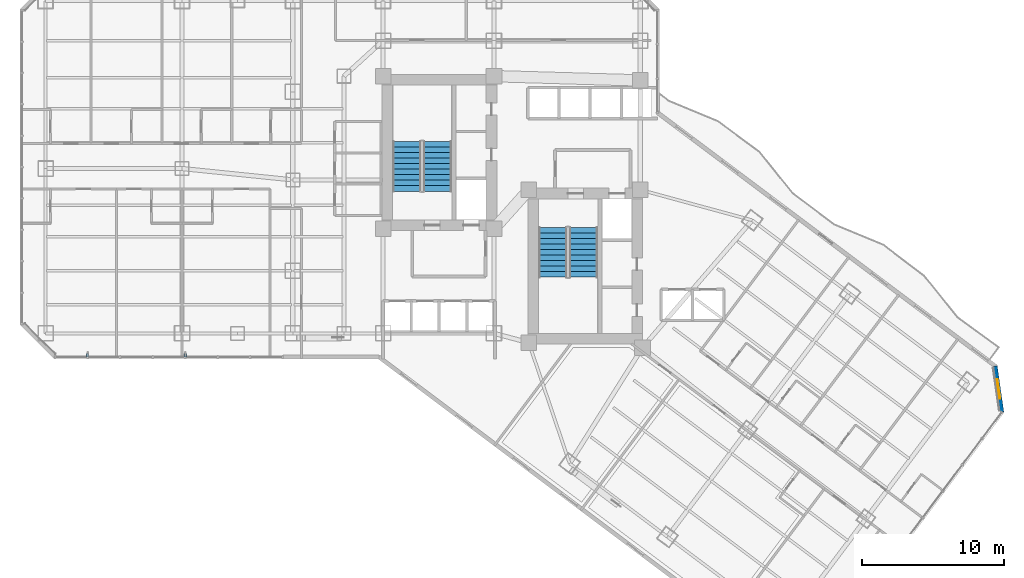
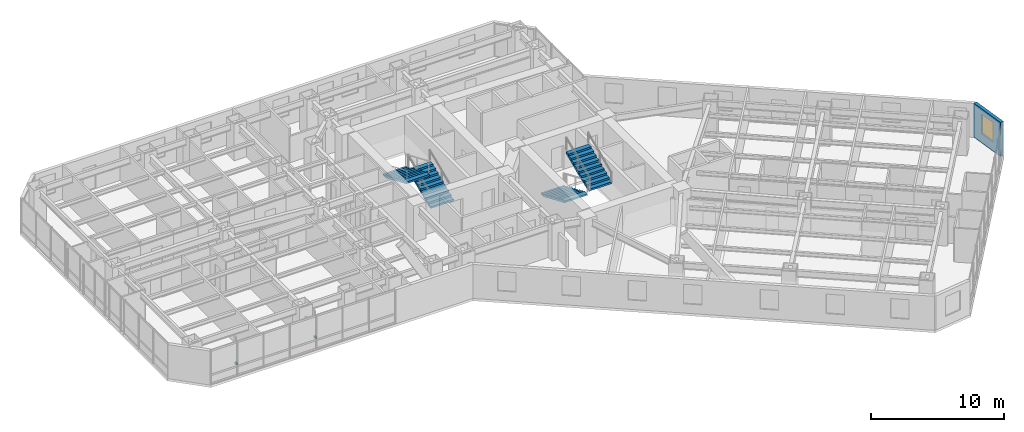
# One storey, part 27 of 32: 4 stair flights, 2 discrete accessories, 1 wall, 1 window, 1 opening, 2 elements without a shape of their own.
"""IFC4 building model written with IfcOpenShell, lengths in metres."""

from ifc_helpers import new_model, si_unit, direction, frame, frame_2d, origin, origin_2d, place, context, subcontext, project, spatial, polyline, rectangle, outline, extrude, material, layer, layer_set, type_object, element, fill, aggregate, save


model = new_model("IFC4")

# Units and contexts
model_context = context("Model", 3, precision=1e-05, world=origin(), true_north=direction((0.0, 1.0)))
body_context = subcontext(model_context, "Body", "Model", "MODEL_VIEW")
ifc_project = project(units=[si_unit("LENGTHUNIT", "METRE"), si_unit("AREAUNIT", "SQUARE_METRE"), si_unit("VOLUMEUNIT", "CUBIC_METRE"), si_unit("PLANEANGLEUNIT", "RADIAN"), si_unit("MASSUNIT", "GRAM", prefix="KILO")], contexts=[model_context])

# Site, building, storey
site_placement = place(None, origin())
site = spatial("IfcSite", under=ifc_project, at=site_placement, CompositionType="ELEMENT")
building_placement = place(site_placement, origin())
building = spatial("IfcBuilding", under=site, at=building_placement, Name="Hatsunagi Terrace Concourse", CompositionType="ELEMENT")
storey_placement = place(building_placement, frame((0.0, 0.0, 46.64990234375)))
storey = spatial("IfcBuildingStorey", under=building, at=storey_placement, Name="L11", CompositionType="ELEMENT", Elevation=46.64990234375)

# Wall, opening, window
ifc_material_1 = material(Name="Autoclaved Lightweight Concrete and Terracotta Cladding", Category="masonry")
ifc_layer = layer(ifc_material_1, 0.280029296875)
ifc_layer_set = layer_set([ifc_layer], Name="TerracottaSpandrelWall_280")
wall_type = type_object("IfcWallType", Name="TerracottaSpandrelWall_280", PredefinedType="STANDARD", material=ifc_layer_set)
wall_placement = place(storey_placement, frame((68.6298828125, 22.903076171875, 0.0), z_axis=(0.0, 0.0, 1.0), x_axis=(0.141285803956, -0.989968848803, 0.0)))
wall = element("IfcWall", 1, at=wall_placement, inside=storey, type_object=wall_type, Name="Exterior Spandrel Wall EW-L11-02", PredefinedType="STANDARD", context=body_context, shape_type="SweptSolid", body=[
    extrude(rectangle(XDim=3.278076171875, YDim=0.280029296875, at=frame_2d((1.63916015625, 0.0))), origin(), (0.0, 0.0, 1.0), 3.130126953125),
])
opening_placement = place(wall_placement, frame((0.93896484375, 0.0, 0.85009765625)))
opening = element("IfcOpeningElement", 2, at=opening_placement, cuts=wall, Name="Opening WIN-02", PredefinedType="OPENING", context=body_context, shape_type="SweptSolid", body=[
    extrude(rectangle(XDim=1.39990234375, YDim=1.800048828125, at=frame_2d((0.699951171875, 0.89990234375))), frame((0.0, 0.14990234375, 0.0), z_axis=(0.0, -1.0, 0.0), x_axis=(1.0, 0.0, 0.0)), (0.0, 0.0, 1.0), 0.300048828125),
])
ifc_material_2 = material(Name="Thermally Broken Aluminium and Low-E Triple Glazing", Category="aluminium")
window_type = type_object("IfcWindowType", Name="HotelOperableVentWindow_1400x1800", PartitioningType="DOUBLE_PANEL_VERTICAL", PredefinedType="WINDOW", material=ifc_material_2)
window_placement = place(opening_placement, origin())
window = element("IfcWindow", 3, at=window_placement, inside=storey, type_object=window_type, Name="Hotel Guestroom Window L11-02-1", OverallHeight=1.800048828125, OverallWidth=1.39990234375, PartitioningType="SINGLE_PANEL", PredefinedType="WINDOW", context=body_context, shape_type="SweptSolid", body=[
    extrude(rectangle(XDim=1.39990234375, YDim=1.800048828125, at=frame_2d((0.699951171875, 0.89990234375))), frame((0.0, 0.030029296875, 0.0), z_axis=(0.0, -1.0, 0.0), x_axis=(1.0, 0.0, 0.0)), (0.0, 0.0, 1.0), 0.06005859375),
])
fill(opening, window)

# Stair, stair flights
ifc_material_3 = material(Name="Concrete Fc42", Category="concrete")
stair_type = type_object("IfcStairType", Name="DoglegExitStair_Tower2000_20R_168", PredefinedType="HALF_TURN_STAIR", material=ifc_material_3)
stair_1_placement = place(storey_placement, origin())
stair_1 = element("IfcStair", 4, at=stair_1_placement, inside=storey, type_object=stair_type, Name="L11 Core A Protected Exit Stair ST-A", PredefinedType="HALF_TURN_STAIR")
ifc_material_4 = material(Name="Concrete Fc42", Category="concrete")
stair_flight_type = type_object("IfcStairFlightType", Name="DoglegStairFlight_Tower2000_20R_168", PredefinedType="STRAIGHT", material=ifc_material_4)
stair_flight_1_placement = place(storey_placement, frame((29.3798828125, 35.199951171875, 0.0), z_axis=(0.0, 0.0, 1.0), x_axis=(0.0, 1.0, 0.0)))
stair_flight_1 = element("IfcStairFlight", 5, at=stair_flight_1_placement, type_object=stair_flight_type, Name="ST-A flight 1", NumberOfRisers=10, NumberOfTreads=9, PredefinedType="STRAIGHT", RiserHeight=0.1675, TreadLength=0.39, context=body_context, shape_type="SweptSolid", body=[
    extrude(outline(polyline([(0.0, 0.0), (0.0, 0.16748046875), (0.389892578125, 0.16748046875), (0.389892578125, 0.3349609375), (0.780029296875, 0.3349609375), (0.780029296875, 0.50244140625), (1.169921875, 0.50244140625), (1.169921875, 0.669921875), (1.56005859375, 0.669921875), (1.56005859375, 0.83740234375), (1.949951171875, 0.83740234375), (1.949951171875, 1.0048828125), (2.340087890625, 1.0048828125), (2.340087890625, 1.172607421875), (2.72998046875, 1.172607421875), (2.72998046875, 1.340087890625), (3.1201171875, 1.340087890625), (3.1201171875, 1.507568359375), (3.510009765625, 1.507568359375), (3.510009765625, 1.675048828125), (3.510009765625, 1.34423828125), (0.3798828125, 0.0), (0.0, 0.0)])), frame((0.0, 1.0, 0.0), z_axis=(0.0, -1.0, 0.0), x_axis=(1.0, 0.0, 0.0)), (0.0, 0.0, 1.0), 2.0),
])
stair_flight_2_placement = place(storey_placement, frame((27.22998046875, 38.7099609375, 1.675048828125), z_axis=(0.0, 0.0, 1.0), x_axis=(0.0, -1.0, 0.0)))
stair_flight_2 = element("IfcStairFlight", 6, at=stair_flight_2_placement, type_object=stair_flight_type, Name="ST-A flight 2", NumberOfRisers=10, NumberOfTreads=9, PredefinedType="STRAIGHT", RiserHeight=0.1675, TreadLength=0.39, context=body_context, shape_type="SweptSolid", body=[
    extrude(outline(polyline([(0.0, 0.0), (0.0, 0.16748046875), (0.389892578125, 0.16748046875), (0.389892578125, 0.3349609375), (0.780029296875, 0.3349609375), (0.780029296875, 0.50244140625), (1.169921875, 0.50244140625), (1.169921875, 0.669921875), (1.56005859375, 0.669921875), (1.56005859375, 0.83740234375), (1.949951171875, 0.83740234375), (1.949951171875, 1.0048828125), (2.340087890625, 1.0048828125), (2.340087890625, 1.172607421875), (2.72998046875, 1.172607421875), (2.72998046875, 1.340087890625), (3.1201171875, 1.340087890625), (3.1201171875, 1.507568359375), (3.510009765625, 1.507568359375), (3.510009765625, 1.675048828125), (3.510009765625, 1.34423828125), (0.3798828125, 0.0), (0.0, 0.0)])), frame((0.0, 1.0, 0.0), z_axis=(0.0, -1.0, 0.0), x_axis=(1.0, 0.0, 0.0)), (0.0, 0.0, 1.0), 2.0),
])
aggregate(stair_1, [stair_flight_1, stair_flight_2])

stair_2_placement = place(storey_placement, origin())
stair_2 = element("IfcStair", 7, at=stair_2_placement, inside=storey, type_object=stair_type, Name="L11 Core B Protected Exit Stair ST-B", PredefinedType="HALF_TURN_STAIR")
stair_flight_3_placement = place(storey_placement, frame((37.5, 32.659912109375, 0.0), z_axis=(0.0, 0.0, 1.0), x_axis=(0.0, -1.0, 0.0)))
stair_flight_3 = element("IfcStairFlight", 8, at=stair_flight_3_placement, type_object=stair_flight_type, Name="ST-B flight 1", NumberOfRisers=10, NumberOfTreads=9, PredefinedType="STRAIGHT", RiserHeight=0.1675, TreadLength=0.39, context=body_context, shape_type="SweptSolid", body=[
    extrude(outline(polyline([(0.0, 0.0), (0.0, 0.16748046875), (0.389892578125, 0.16748046875), (0.389892578125, 0.3349609375), (0.780029296875, 0.3349609375), (0.780029296875, 0.50244140625), (1.169921875, 0.50244140625), (1.169921875, 0.669921875), (1.56005859375, 0.669921875), (1.56005859375, 0.83740234375), (1.949951171875, 0.83740234375), (1.949951171875, 1.0048828125), (2.340087890625, 1.0048828125), (2.340087890625, 1.172607421875), (2.72998046875, 1.172607421875), (2.72998046875, 1.340087890625), (3.1201171875, 1.340087890625), (3.1201171875, 1.507568359375), (3.510009765625, 1.507568359375), (3.510009765625, 1.675048828125), (3.510009765625, 1.34423828125), (0.3798828125, 0.0), (0.0, 0.0)])), frame((0.0, 1.0, 0.0), z_axis=(0.0, -1.0, 0.0), x_axis=(1.0, 0.0, 0.0)), (0.0, 0.0, 1.0), 2.0),
])
stair_flight_4_placement = place(storey_placement, frame((39.64990234375, 29.14990234375, 1.675048828125), z_axis=(0.0, 0.0, 1.0), x_axis=(0.0, 1.0, 0.0)))
stair_flight_4 = element("IfcStairFlight", 9, at=stair_flight_4_placement, type_object=stair_flight_type, Name="ST-B flight 2", NumberOfRisers=10, NumberOfTreads=9, PredefinedType="STRAIGHT", RiserHeight=0.1675, TreadLength=0.39, context=body_context, shape_type="SweptSolid", body=[
    extrude(outline(polyline([(0.0, 0.0), (0.0, 0.16748046875), (0.389892578125, 0.16748046875), (0.389892578125, 0.3349609375), (0.780029296875, 0.3349609375), (0.780029296875, 0.50244140625), (1.169921875, 0.50244140625), (1.169921875, 0.669921875), (1.56005859375, 0.669921875), (1.56005859375, 0.83740234375), (1.949951171875, 0.83740234375), (1.949951171875, 1.0048828125), (2.340087890625, 1.0048828125), (2.340087890625, 1.172607421875), (2.72998046875, 1.172607421875), (2.72998046875, 1.340087890625), (3.1201171875, 1.340087890625), (3.1201171875, 1.507568359375), (3.510009765625, 1.507568359375), (3.510009765625, 1.675048828125), (3.510009765625, 1.34423828125), (0.3798828125, 0.0), (0.0, 0.0)])), frame((0.0, 1.0, 0.0), z_axis=(0.0, -1.0, 0.0), x_axis=(1.0, 0.0, 0.0)), (0.0, 0.0, 1.0), 2.0),
])
aggregate(stair_2, [stair_flight_3, stair_flight_4])

# Discrete accessories
ifc_material_5 = material(Name="Stainless Steel SUS316 Bracket", Category="steel")
discrete_accessory_type = type_object("IfcDiscreteAccessoryType", Name="FacadeScreenSupportBracket_SS", PredefinedType="BRACKET", material=ifc_material_5)
for number, where, z_axis, x_axis, name in (
    (10, (11.625, 23.64990234375, 0.97021484375), (0.0, 0.0, 1.0), (-1.0, 0.0, 0.0), "Terracotta Screen Bracket BRK-01"),
    (11, (4.75, 23.64990234375, 0.97021484375), (0.0, 0.0, 1.0), (-1.0, 0.0, 0.0), "Terracotta Screen Bracket BRK-01"),
):
    element("IfcDiscreteAccessory", number, at=place(storey_placement, frame(where, z_axis=z_axis, x_axis=x_axis)), inside=storey, type_object=discrete_accessory_type, Name=name, PredefinedType="BRACKET", context=body_context, shape_type="SweptSolid", body=[
        extrude(rectangle(XDim=0.159912109375, YDim=0.239990234375, at=origin_2d()), origin(), (0.0, 0.0, 1.0), 0.159912109375),
    ])

save(model, "model.ifc")
